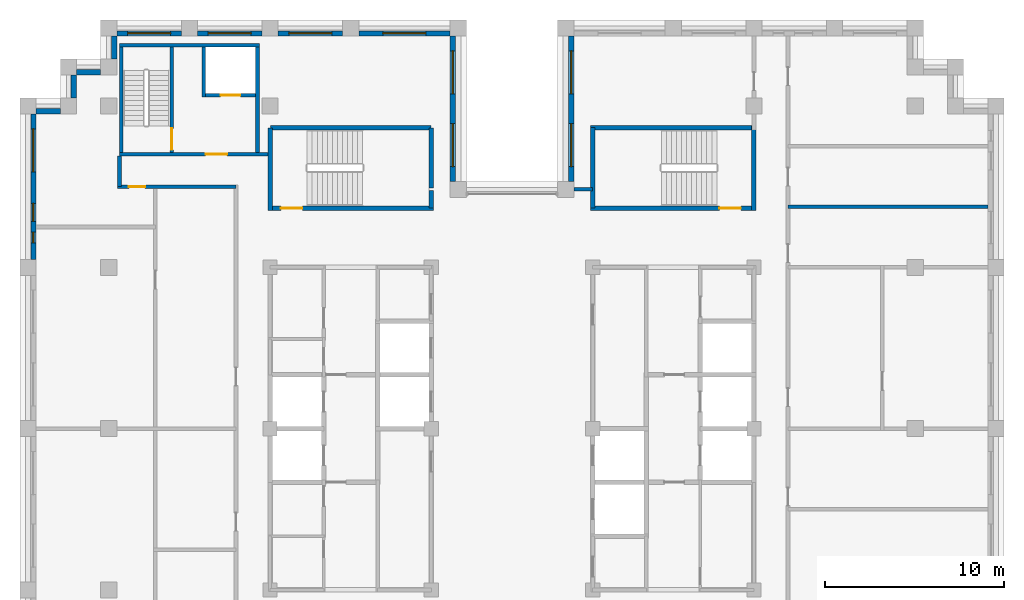
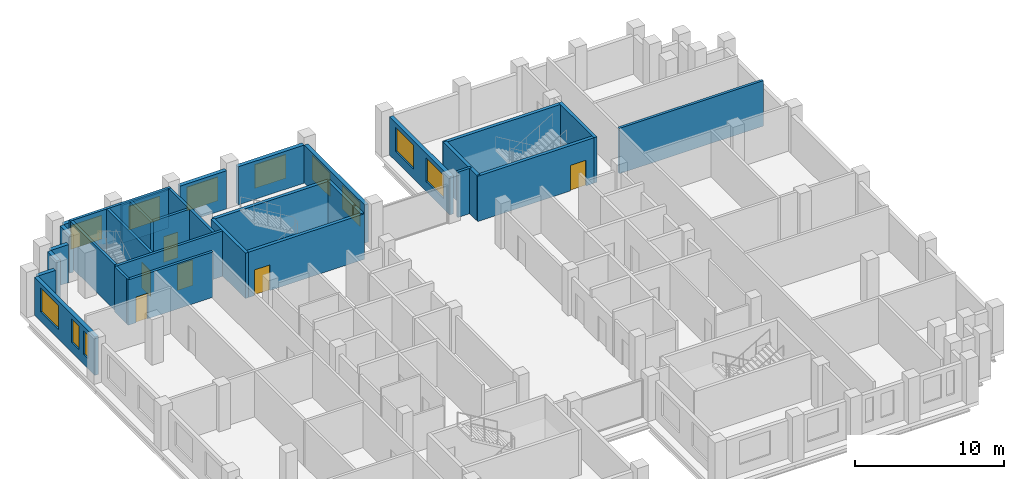
# One storey, part 10 of 13: 31 walls, 11 windows, 6 doors, 17 openings.
"""IFC4 building model written with IfcOpenShell, lengths in metres."""

from ifc_helpers import new_model, si_unit, direction, frame, frame_2d, origin, place, context, subcontext, project, spatial, rectangle, extrude, material, layer, layer_set, type_object, element, fill, save


model = new_model("IFC4")

# Units and contexts
model_context = context("Model", 3, precision=1e-05, world=origin(), true_north=direction((0.0, 1.0)))
body_context = subcontext(model_context, "Body", "Model", "MODEL_VIEW")
ifc_project = project(units=[si_unit("LENGTHUNIT", "METRE"), si_unit("AREAUNIT", "SQUARE_METRE"), si_unit("VOLUMEUNIT", "CUBIC_METRE"), si_unit("PLANEANGLEUNIT", "RADIAN"), si_unit("MASSUNIT", "GRAM", prefix="KILO")], contexts=[model_context])

# Site, building, storey
site_placement = place(None, origin())
site = spatial("IfcSite", under=ifc_project, at=site_placement, CompositionType="ELEMENT")
building_placement = place(site_placement, origin())
building = spatial("IfcBuilding", under=site, at=building_placement, Name="Corbelhall Arena Tower", CompositionType="ELEMENT")
storey_placement = place(building_placement, frame((0.0, 0.0, 254.0)))
storey = spatial("IfcBuildingStorey", under=building, at=storey_placement, Name="L54", CompositionType="ELEMENT", Elevation=254.0)

# Walls
ifc_material_1 = material(Name="Precast concrete C40/50 with granite facing", Category="masonry")
ifc_layer_1 = layer(ifc_material_1, 0.300048828125)
ifc_layer_set_1 = layer_set([ifc_layer_1], Name="EV-IW1 Infill panel 300")
wall_type_1 = type_object("IfcWallType", Name="EV-IW1 Infill panel 300", PredefinedType="SOLIDWALL", material=ifc_layer_set_1)
wall_1_placement = place(storey_placement, frame((-24.449951171875, 19.72509765625, 0.0), z_axis=(0.0, 0.0, 1.0), x_axis=(0.0, -1.0, 0.0)))
element("IfcWall", 1, at=wall_1_placement, inside=storey, type_object=wall_type_1, Name="Infill panel IW1", PredefinedType="SOLIDWALL", context=body_context, shape_type="SweptSolid", body=[
    extrude(rectangle(XDim=1.275146484375, YDim=0.300048828125, at=frame_2d((0.6376953125, 0.0))), origin(), (0.0, 0.0, 1.0), 3.1201171875),
])
wall_2_placement = place(storey_placement, frame((-25.199951171875, 17.699951171875, 0.0), z_axis=(0.0, 0.0, 1.0), x_axis=(-1.0, 0.0, 0.0)))
element("IfcWall", 2, at=wall_2_placement, inside=storey, type_object=wall_type_1, Name="Infill panel IW1", PredefinedType="SOLIDWALL", context=body_context, shape_type="SweptSolid", body=[
    extrude(rectangle(XDim=1.35009765625, YDim=0.300048828125, at=frame_2d((0.675048828125, 0.0))), origin(), (0.0, 0.0, 1.0), 3.1201171875),
])

# Wall, openings, windows
wall_3_placement = place(storey_placement, frame((-26.699951171875, 17.550048828125, 0.0), z_axis=(0.0, 0.0, 1.0), x_axis=(0.0, -1.0, 0.0)))
wall_3 = element("IfcWall", 3, at=wall_3_placement, inside=storey, type_object=wall_type_1, Name="Infill panel IW1", PredefinedType="SOLIDWALL", context=body_context, shape_type="SweptSolid", body=[
    extrude(rectangle(XDim=8.10009765625, YDim=0.300048828125, at=frame_2d((4.050048828125, 0.0))), origin(), (0.0, 0.0, 1.0), 3.1201171875),
])
opening_1_placement = place(wall_3_placement, frame((0.824951171875, 0.0, 0.800048828125)))
opening_1 = element("IfcOpeningElement", 4, at=opening_1_placement, cuts=wall_3, Name="Opening WN1", PredefinedType="OPENING", context=body_context, shape_type="SweptSolid", body=[
    extrude(rectangle(XDim=2.39990234375, YDim=1.949951171875, at=frame_2d((1.199951171875, 0.97509765625))), frame((0.0, 0.14990234375, 0.0), z_axis=(0.0, -1.0, 0.0), x_axis=(1.0, 0.0, 0.0)), (0.0, 0.0, 1.0), 0.300048828125),
])
opening_2_placement = place(wall_3_placement, frame((4.987548828125, 0.0, 0.800048828125)))
opening_2 = element("IfcOpeningElement", 5, at=opening_2_placement, cuts=wall_3, Name="Opening WN6", PredefinedType="OPENING", context=body_context, shape_type="SweptSolid", body=[
    extrude(rectangle(XDim=1.0, YDim=1.949951171875, at=frame_2d((0.5, 0.97509765625))), frame((0.0, 0.14990234375, 0.0), z_axis=(0.0, -1.0, 0.0), x_axis=(1.0, 0.0, 0.0)), (0.0, 0.0, 1.0), 0.300048828125),
])
opening_3_placement = place(wall_3_placement, frame((6.58740234375, 0.0, 0.800048828125)))
opening_3 = element("IfcOpeningElement", 6, at=opening_3_placement, cuts=wall_3, Name="Opening WN5", PredefinedType="OPENING", context=body_context, shape_type="SweptSolid", body=[
    extrude(rectangle(XDim=0.60009765625, YDim=1.949951171875, at=frame_2d((0.300048828125, 0.97509765625))), frame((0.0, 0.14990234375, 0.0), z_axis=(0.0, -1.0, 0.0), x_axis=(1.0, 0.0, 0.0)), (0.0, 0.0, 1.0), 0.300048828125),
])
ifc_material_2 = material(Name="Aluminium black anodised", Category="aluminium")
window_type_1 = type_object("IfcWindowType", Name="EV-WN1 Office window", PartitioningType="SINGLE_PANEL", PredefinedType="WINDOW", material=ifc_material_2)
window_1_placement = place(opening_1_placement, origin())
window_1 = element("IfcWindow", 7, at=window_1_placement, inside=storey, type_object=window_type_1, Name="Window WN1", OverallHeight=1.949951171875, OverallWidth=2.39990234375, PartitioningType="SINGLE_PANEL", PredefinedType="WINDOW", context=body_context, shape_type="SweptSolid", body=[
    extrude(rectangle(XDim=2.39990234375, YDim=1.949951171875, at=frame_2d((1.199951171875, 0.97509765625))), frame((0.0, 0.030029296875, 0.0), z_axis=(0.0, -1.0, 0.0), x_axis=(1.0, 0.0, 0.0)), (0.0, 0.0, 1.0), 0.06005859375),
])
fill(opening_1, window_1)
window_type_2 = type_object("IfcWindowType", Name="EV-WN5 Office window 600", PartitioningType="SINGLE_PANEL", PredefinedType="WINDOW", material=ifc_material_2)
window_2_placement = place(opening_3_placement, origin())
window_2 = element("IfcWindow", 8, at=window_2_placement, inside=storey, type_object=window_type_2, Name="Window WN5", OverallHeight=1.949951171875, OverallWidth=0.60009765625, PartitioningType="SINGLE_PANEL", PredefinedType="WINDOW", context=body_context, shape_type="SweptSolid", body=[
    extrude(rectangle(XDim=0.60009765625, YDim=1.949951171875, at=frame_2d((0.300048828125, 0.97509765625))), frame((0.0, 0.030029296875, 0.0), z_axis=(0.0, -1.0, 0.0), x_axis=(1.0, 0.0, 0.0)), (0.0, 0.0, 1.0), 0.06005859375),
])
fill(opening_3, window_2)
window_type_3 = type_object("IfcWindowType", Name="EV-WN6 Office window 1000", PartitioningType="SINGLE_PANEL", PredefinedType="WINDOW", material=ifc_material_2)
window_3_placement = place(opening_2_placement, origin())
window_3 = element("IfcWindow", 9, at=window_3_placement, inside=storey, type_object=window_type_3, Name="Window WN6", OverallHeight=1.949951171875, OverallWidth=1.0, PartitioningType="SINGLE_PANEL", PredefinedType="WINDOW", context=body_context, shape_type="SweptSolid", body=[
    extrude(rectangle(XDim=1.0, YDim=1.949951171875, at=frame_2d((0.5, 0.97509765625))), frame((0.0, 0.030029296875, 0.0), z_axis=(0.0, -1.0, 0.0), x_axis=(1.0, 0.0, 0.0)), (0.0, 0.0, 1.0), 0.06005859375),
])
fill(opening_2, window_3)

wall_4_placement = place(storey_placement, frame((3.300048828125, 21.89990234375, 0.0), z_axis=(0.0, 0.0, 1.0), x_axis=(0.0, -1.0, 0.0)))
wall_4 = element("IfcWall", 10, at=wall_4_placement, inside=storey, type_object=wall_type_1, Name="Infill panel IW1", PredefinedType="SOLIDWALL", context=body_context, shape_type="SweptSolid", body=[
    extrude(rectangle(XDim=8.099853515625, YDim=0.300048828125, at=frame_2d((4.0498046875, 0.0))), origin(), (0.0, 0.0, 1.0), 3.1201171875),
])
opening_4_placement = place(wall_4_placement, frame((0.824951171875, 0.0, 0.800048828125)))
opening_4 = element("IfcOpeningElement", 11, at=opening_4_placement, cuts=wall_4, Name="Opening WN1", PredefinedType="OPENING", context=body_context, shape_type="SweptSolid", body=[
    extrude(rectangle(XDim=2.39990234375, YDim=1.949951171875, at=frame_2d((1.199951171875, 0.97509765625))), frame((0.0, 0.14990234375, 0.0), z_axis=(0.0, -1.0, 0.0), x_axis=(1.0, 0.0, 0.0)), (0.0, 0.0, 1.0), 0.300048828125),
])
opening_5_placement = place(wall_4_placement, frame((4.875, 0.0, 0.800048828125)))
opening_5 = element("IfcOpeningElement", 12, at=opening_5_placement, cuts=wall_4, Name="Opening WN1", PredefinedType="OPENING", context=body_context, shape_type="SweptSolid", body=[
    extrude(rectangle(XDim=2.39990234375, YDim=1.949951171875, at=frame_2d((1.199951171875, 0.97509765625))), frame((0.0, 0.14990234375, 0.0), z_axis=(0.0, -1.0, 0.0), x_axis=(1.0, 0.0, 0.0)), (0.0, 0.0, 1.0), 0.300048828125),
])
window_4_placement = place(opening_4_placement, origin())
window_4 = element("IfcWindow", 13, at=window_4_placement, inside=storey, type_object=window_type_1, Name="Window WN1", OverallHeight=1.949951171875, OverallWidth=2.39990234375, PartitioningType="SINGLE_PANEL", PredefinedType="WINDOW", context=body_context, shape_type="SweptSolid", body=[
    extrude(rectangle(XDim=2.39990234375, YDim=1.949951171875, at=frame_2d((1.199951171875, 0.97509765625))), frame((0.0, 0.030029296875, 0.0), z_axis=(0.0, -1.0, 0.0), x_axis=(1.0, 0.0, 0.0)), (0.0, 0.0, 1.0), 0.06005859375),
])
fill(opening_4, window_4)
window_5_placement = place(opening_5_placement, origin())
window_5 = element("IfcWindow", 14, at=window_5_placement, inside=storey, type_object=window_type_1, Name="Window WN1", OverallHeight=1.949951171875, OverallWidth=2.39990234375, PartitioningType="SINGLE_PANEL", PredefinedType="WINDOW", context=body_context, shape_type="SweptSolid", body=[
    extrude(rectangle(XDim=2.39990234375, YDim=1.949951171875, at=frame_2d((1.199951171875, 0.97509765625))), frame((0.0, 0.030029296875, 0.0), z_axis=(0.0, -1.0, 0.0), x_axis=(1.0, 0.0, 0.0)), (0.0, 0.0, 1.0), 0.06005859375),
])
fill(opening_5, window_5)

wall_5_placement = place(storey_placement, frame((-3.300048828125, 13.800048828125, 0.0), z_axis=(0.0, 0.0, 1.0), x_axis=(0.0, 1.0, 0.0)))
wall_5 = element("IfcWall", 15, at=wall_5_placement, inside=storey, type_object=wall_type_1, Name="Infill panel IW1", PredefinedType="SOLIDWALL", context=body_context, shape_type="SweptSolid", body=[
    extrude(rectangle(XDim=8.099853515625, YDim=0.300048828125, at=frame_2d((4.0498046875, 0.0))), origin(), (0.0, 0.0, 1.0), 3.1201171875),
])
opening_6_placement = place(wall_5_placement, frame((0.824951171875, 0.0, 0.800048828125)))
opening_6 = element("IfcOpeningElement", 16, at=opening_6_placement, cuts=wall_5, Name="Opening WN1", PredefinedType="OPENING", context=body_context, shape_type="SweptSolid", body=[
    extrude(rectangle(XDim=2.39990234375, YDim=1.949951171875, at=frame_2d((1.199951171875, 0.97509765625))), frame((0.0, 0.14990234375, 0.0), z_axis=(0.0, -1.0, 0.0), x_axis=(1.0, 0.0, 0.0)), (0.0, 0.0, 1.0), 0.300048828125),
])
opening_7_placement = place(wall_5_placement, frame((4.875, 0.0, 0.800048828125)))
opening_7 = element("IfcOpeningElement", 17, at=opening_7_placement, cuts=wall_5, Name="Opening WN1", PredefinedType="OPENING", context=body_context, shape_type="SweptSolid", body=[
    extrude(rectangle(XDim=2.39990234375, YDim=1.949951171875, at=frame_2d((1.199951171875, 0.97509765625))), frame((0.0, 0.14990234375, 0.0), z_axis=(0.0, -1.0, 0.0), x_axis=(1.0, 0.0, 0.0)), (0.0, 0.0, 1.0), 0.300048828125),
])
window_6_placement = place(opening_6_placement, origin())
window_6 = element("IfcWindow", 18, at=window_6_placement, inside=storey, type_object=window_type_1, Name="Window WN1", OverallHeight=1.949951171875, OverallWidth=2.39990234375, PartitioningType="SINGLE_PANEL", PredefinedType="WINDOW", context=body_context, shape_type="SweptSolid", body=[
    extrude(rectangle(XDim=2.39990234375, YDim=1.949951171875, at=frame_2d((1.199951171875, 0.97509765625))), frame((0.0, 0.030029296875, 0.0), z_axis=(0.0, -1.0, 0.0), x_axis=(1.0, 0.0, 0.0)), (0.0, 0.0, 1.0), 0.06005859375),
])
fill(opening_6, window_6)
window_7_placement = place(opening_7_placement, origin())
window_7 = element("IfcWindow", 19, at=window_7_placement, inside=storey, type_object=window_type_1, Name="Window WN1", OverallHeight=1.949951171875, OverallWidth=2.39990234375, PartitioningType="SINGLE_PANEL", PredefinedType="WINDOW", context=body_context, shape_type="SweptSolid", body=[
    extrude(rectangle(XDim=2.39990234375, YDim=1.949951171875, at=frame_2d((1.199951171875, 0.97509765625))), frame((0.0, 0.030029296875, 0.0), z_axis=(0.0, -1.0, 0.0), x_axis=(1.0, 0.0, 0.0)), (0.0, 0.0, 1.0), 0.06005859375),
])
fill(opening_7, window_7)

# Wall, opening, window
wall_6_placement = place(storey_placement, frame((-3.449951171875, 22.050048828125, 0.0), z_axis=(0.0, 0.0, 1.0), x_axis=(-1.0, 0.0, 0.0)))
wall_6 = element("IfcWall", 20, at=wall_6_placement, inside=storey, type_object=wall_type_1, Name="Infill panel IW1", PredefinedType="SOLIDWALL", context=body_context, shape_type="SweptSolid", body=[
    extrude(rectangle(XDim=5.10009765625, YDim=0.300048828125, at=frame_2d((2.550048828125, 0.0))), origin(), (0.0, 0.0, 1.0), 3.1201171875),
])
opening_8_placement = place(wall_6_placement, frame((1.35009765625, 0.0, 0.800048828125)))
opening_8 = element("IfcOpeningElement", 21, at=opening_8_placement, cuts=wall_6, Name="Opening WN1", PredefinedType="OPENING", context=body_context, shape_type="SweptSolid", body=[
    extrude(rectangle(XDim=2.39990234375, YDim=1.949951171875, at=frame_2d((1.199951171875, 0.97509765625))), frame((0.0, 0.14990234375, 0.0), z_axis=(0.0, -1.0, 0.0), x_axis=(1.0, 0.0, 0.0)), (0.0, 0.0, 1.0), 0.300048828125),
])
window_8_placement = place(opening_8_placement, origin())
window_8 = element("IfcWindow", 22, at=window_8_placement, inside=storey, type_object=window_type_1, Name="Window WN1", OverallHeight=1.949951171875, OverallWidth=2.39990234375, PartitioningType="SINGLE_PANEL", PredefinedType="WINDOW", context=body_context, shape_type="SweptSolid", body=[
    extrude(rectangle(XDim=2.39990234375, YDim=1.949951171875, at=frame_2d((1.199951171875, 0.97509765625))), frame((0.0, 0.030029296875, 0.0), z_axis=(0.0, -1.0, 0.0), x_axis=(1.0, 0.0, 0.0)), (0.0, 0.0, 1.0), 0.06005859375),
])
fill(opening_8, window_8)

wall_7_placement = place(storey_placement, frame((-9.449951171875, 22.050048828125, 0.0), z_axis=(0.0, 0.0, 1.0), x_axis=(-1.0, 0.0, 0.0)))
wall_7 = element("IfcWall", 23, at=wall_7_placement, inside=storey, type_object=wall_type_1, Name="Infill panel IW1", PredefinedType="SOLIDWALL", context=body_context, shape_type="SweptSolid", body=[
    extrude(rectangle(XDim=3.60009765625, YDim=0.300048828125, at=frame_2d((1.800048828125, 0.0))), origin(), (0.0, 0.0, 1.0), 3.1201171875),
])
opening_9_placement = place(wall_7_placement, frame((0.60009765625, 0.0, 0.800048828125)))
opening_9 = element("IfcOpeningElement", 24, at=opening_9_placement, cuts=wall_7, Name="Opening WN1", PredefinedType="OPENING", context=body_context, shape_type="SweptSolid", body=[
    extrude(rectangle(XDim=2.39990234375, YDim=1.949951171875, at=frame_2d((1.199951171875, 0.97509765625))), frame((0.0, 0.14990234375, 0.0), z_axis=(0.0, -1.0, 0.0), x_axis=(1.0, 0.0, 0.0)), (0.0, 0.0, 1.0), 0.300048828125),
])
window_9_placement = place(opening_9_placement, origin())
window_9 = element("IfcWindow", 25, at=window_9_placement, inside=storey, type_object=window_type_1, Name="Window WN1", OverallHeight=1.949951171875, OverallWidth=2.39990234375, PartitioningType="SINGLE_PANEL", PredefinedType="WINDOW", context=body_context, shape_type="SweptSolid", body=[
    extrude(rectangle(XDim=2.39990234375, YDim=1.949951171875, at=frame_2d((1.199951171875, 0.97509765625))), frame((0.0, 0.030029296875, 0.0), z_axis=(0.0, -1.0, 0.0), x_axis=(1.0, 0.0, 0.0)), (0.0, 0.0, 1.0), 0.06005859375),
])
fill(opening_9, window_9)

wall_8_placement = place(storey_placement, frame((-13.949951171875, 22.050048828125, 0.0), z_axis=(0.0, 0.0, 1.0), x_axis=(-1.0, 0.0, 0.0)))
wall_8 = element("IfcWall", 26, at=wall_8_placement, inside=storey, type_object=wall_type_1, Name="Infill panel IW1", PredefinedType="SOLIDWALL", context=body_context, shape_type="SweptSolid", body=[
    extrude(rectangle(XDim=3.60009765625, YDim=0.300048828125, at=frame_2d((1.800048828125, 0.0))), origin(), (0.0, 0.0, 1.0), 3.1201171875),
])
opening_10_placement = place(wall_8_placement, frame((0.60009765625, 0.0, 0.800048828125)))
opening_10 = element("IfcOpeningElement", 27, at=opening_10_placement, cuts=wall_8, Name="Opening WN1", PredefinedType="OPENING", context=body_context, shape_type="SweptSolid", body=[
    extrude(rectangle(XDim=2.39990234375, YDim=1.949951171875, at=frame_2d((1.199951171875, 0.97509765625))), frame((0.0, 0.14990234375, 0.0), z_axis=(0.0, -1.0, 0.0), x_axis=(1.0, 0.0, 0.0)), (0.0, 0.0, 1.0), 0.300048828125),
])
window_10_placement = place(opening_10_placement, origin())
window_10 = element("IfcWindow", 28, at=window_10_placement, inside=storey, type_object=window_type_1, Name="Window WN1", OverallHeight=1.949951171875, OverallWidth=2.39990234375, PartitioningType="SINGLE_PANEL", PredefinedType="WINDOW", context=body_context, shape_type="SweptSolid", body=[
    extrude(rectangle(XDim=2.39990234375, YDim=1.949951171875, at=frame_2d((1.199951171875, 0.97509765625))), frame((0.0, 0.030029296875, 0.0), z_axis=(0.0, -1.0, 0.0), x_axis=(1.0, 0.0, 0.0)), (0.0, 0.0, 1.0), 0.06005859375),
])
fill(opening_10, window_10)

wall_9_placement = place(storey_placement, frame((-18.449951171875, 22.050048828125, 0.0), z_axis=(0.0, 0.0, 1.0), x_axis=(-1.0, 0.0, 0.0)))
wall_9 = element("IfcWall", 29, at=wall_9_placement, inside=storey, type_object=wall_type_1, Name="Infill panel IW1", PredefinedType="SOLIDWALL", context=body_context, shape_type="SweptSolid", body=[
    extrude(rectangle(XDim=3.60009765625, YDim=0.300048828125, at=frame_2d((1.800048828125, 0.0))), origin(), (0.0, 0.0, 1.0), 3.1201171875),
])
opening_11_placement = place(wall_9_placement, frame((0.60009765625, 0.0, 0.800048828125)))
opening_11 = element("IfcOpeningElement", 30, at=opening_11_placement, cuts=wall_9, Name="Opening WN1", PredefinedType="OPENING", context=body_context, shape_type="SweptSolid", body=[
    extrude(rectangle(XDim=2.39990234375, YDim=1.949951171875, at=frame_2d((1.199951171875, 0.97509765625))), frame((0.0, 0.14990234375, 0.0), z_axis=(0.0, -1.0, 0.0), x_axis=(1.0, 0.0, 0.0)), (0.0, 0.0, 1.0), 0.300048828125),
])
window_11_placement = place(opening_11_placement, origin())
window_11 = element("IfcWindow", 31, at=window_11_placement, inside=storey, type_object=window_type_1, Name="Window WN1", OverallHeight=1.949951171875, OverallWidth=2.39990234375, PartitioningType="SINGLE_PANEL", PredefinedType="WINDOW", context=body_context, shape_type="SweptSolid", body=[
    extrude(rectangle(XDim=2.39990234375, YDim=1.949951171875, at=frame_2d((1.199951171875, 0.97509765625))), frame((0.0, 0.030029296875, 0.0), z_axis=(0.0, -1.0, 0.0), x_axis=(1.0, 0.0, 0.0)), (0.0, 0.0, 1.0), 0.06005859375),
])
fill(opening_11, window_11)

# Walls
wall_10_placement = place(storey_placement, frame((-22.199951171875, 21.89990234375, 0.0), z_axis=(0.0, 0.0, 1.0), x_axis=(0.0, -1.0, 0.0)))
element("IfcWall", 32, at=wall_10_placement, inside=storey, type_object=wall_type_1, Name="Infill panel IW1", PredefinedType="SOLIDWALL", context=body_context, shape_type="SweptSolid", body=[
    extrude(rectangle(XDim=1.27490234375, YDim=0.300048828125, at=frame_2d((0.637451171875, 0.0))), origin(), (0.0, 0.0, 1.0), 3.1201171875),
])
wall_11_placement = place(storey_placement, frame((-22.949951171875, 19.875, 0.0), z_axis=(0.0, 0.0, 1.0), x_axis=(-1.0, 0.0, 0.0)))
element("IfcWall", 33, at=wall_11_placement, inside=storey, type_object=wall_type_1, Name="Infill panel IW1", PredefinedType="SOLIDWALL", context=body_context, shape_type="SweptSolid", body=[
    extrude(rectangle(XDim=1.35009765625, YDim=0.300048828125, at=frame_2d((0.675048828125, 0.0))), origin(), (0.0, 0.0, 1.0), 3.1201171875),
])
ifc_material_3 = material(Name="Gypsum board on steel stud, acoustic", Category="steel")
ifc_layer_2 = layer(ifc_material_3, 0.199951171875)
ifc_layer_set_2 = layer_set([ifc_layer_2], Name="IN-W-DM200")
wall_type_2 = type_object("IfcWallType", Name="IN-W-DM200", PredefinedType="PARTITIONING", material=ifc_layer_set_2)
wall_12_placement = place(storey_placement, frame((-21.89990234375, 13.5, 0.0), z_axis=(0.0, 0.0, 1.0), x_axis=(0.0, 1.0, 0.0)))
element("IfcWall", 34, at=wall_12_placement, inside=storey, type_object=wall_type_2, Name="Partition 004", PredefinedType="PARTITIONING", context=body_context, shape_type="SweptSolid", body=[
    extrude(rectangle(XDim=1.699951171875, YDim=0.199951171875, at=frame_2d((0.85009765625, 0.0))), origin(), (0.0, 0.0, 1.0), 3.719970703125),
])

# Wall, opening, door
wall_13_placement = place(storey_placement, frame((-15.39990234375, 13.5, 0.0), z_axis=(0.0, 0.0, 1.0), x_axis=(-1.0, 0.0, 0.0)))
wall_13 = element("IfcWall", 35, at=wall_13_placement, inside=storey, type_object=wall_type_2, Name="Partition 008", PredefinedType="PARTITIONING", context=body_context, shape_type="SweptSolid", body=[
    extrude(rectangle(XDim=6.60009765625, YDim=0.199951171875, at=frame_2d((3.300048828125, 0.0))), origin(), (0.0, 0.0, 1.0), 3.719970703125),
])
opening_12_placement = place(wall_13_placement, frame((5.070068359375, 0.0, 0.0)))
opening_12 = element("IfcOpeningElement", 36, at=opening_12_placement, cuts=wall_13, Name="Opening 17038", PredefinedType="OPENING", context=body_context, shape_type="SweptSolid", body=[
    extrude(rectangle(XDim=0.89990234375, YDim=2.10009765625, at=frame_2d((0.449951171875, 1.050048828125))), frame((0.0, 0.10009765625, 0.0), z_axis=(0.0, -1.0, 0.0), x_axis=(1.0, 0.0, 0.0)), (0.0, 0.0, 1.0), 0.199951171875),
])
ifc_material_4 = material(Name="Timber door set", Category="wood")
door_type_1 = type_object("IfcDoorType", Name="IN-D-SW90", OperationType="NOTDEFINED", PredefinedType="DOOR", material=ifc_material_4)
door_1_placement = place(opening_12_placement, origin())
door_1 = element("IfcDoor", 37, at=door_1_placement, inside=storey, type_object=door_type_1, Name="Door 038", OperationType="SINGLE_SWING_LEFT", OverallHeight=2.10009765625, OverallWidth=0.89990234375, PredefinedType="DOOR", context=body_context, shape_type="SweptSolid", body=[
    extrude(rectangle(XDim=0.89990234375, YDim=2.10009765625, at=frame_2d((0.449951171875, 1.050048828125))), frame((0.0, 0.02490234375, 0.0), z_axis=(0.0, -1.0, 0.0), x_axis=(1.0, 0.0, 0.0)), (0.0, 0.0, 1.0), 0.050048828125),
])
fill(opening_12, door_1)

# Walls
wall_14_placement = place(storey_placement, frame((3.450439453125, 13.35009765625, 0.0), z_axis=(0.0, 0.0, 1.0), x_axis=(1.0, 0.0, 0.0)))
element("IfcWall", 38, at=wall_14_placement, inside=storey, type_object=wall_type_2, Name="Partition 012", PredefinedType="PARTITIONING", context=body_context, shape_type="SweptSolid", body=[
    extrude(rectangle(XDim=1.049072265625, YDim=0.199951171875, at=frame_2d((0.5244140625, 0.0))), origin(), (0.0, 0.0, 1.0), 3.719970703125),
])
wall_15_placement = place(storey_placement, frame((15.39990234375, 12.375, 0.0), z_axis=(0.0, 0.0, 1.0), x_axis=(1.0, 0.0, 0.0)))
element("IfcWall", 39, at=wall_15_placement, inside=storey, type_object=wall_type_2, Name="Partition 020", PredefinedType="PARTITIONING", context=body_context, shape_type="SweptSolid", body=[
    extrude(rectangle(XDim=11.150146484375, YDim=0.199951171875, at=frame_2d((5.5751953125, 0.0))), origin(), (0.0, 0.0, 1.0), 3.719970703125),
])

# Wall, opening, door
ifc_material_5 = material(Name="Concrete C40/50", Category="concrete")
ifc_layer_3 = layer(ifc_material_5, 0.199951171875)
ifc_layer_set_3 = layer_set([ifc_layer_3], Name="IN-W-EAR200")
wall_type_3 = type_object("IfcWallType", Name="IN-W-EAR200", PredefinedType="SOLIDWALL", material=ifc_layer_set_3)
wall_16_placement = place(storey_placement, frame((-21.89990234375, 15.300048828125, 0.0), z_axis=(0.0, 0.0, 1.0), x_axis=(1.0, 0.0, 0.0)))
wall_16 = element("IfcWall", 40, at=wall_16_placement, inside=storey, type_object=wall_type_3, Name="Fire service turret wall south", PredefinedType="SOLIDWALL", context=body_context, shape_type="SweptSolid", body=[
    extrude(rectangle(XDim=8.27490234375, YDim=0.199951171875, at=frame_2d((4.137451171875, 0.0))), origin(), (0.0, 0.0, 1.0), 3.719970703125),
])
opening_13_placement = place(wall_16_placement, frame((4.800048828125, 0.0, 0.0)))
opening_13 = element("IfcOpeningElement", 41, at=opening_13_placement, cuts=wall_16, Name="Opening E172", PredefinedType="OPENING", context=body_context, shape_type="SweptSolid", body=[
    extrude(rectangle(XDim=1.199951171875, YDim=2.10009765625, at=frame_2d((0.60009765625, 1.050048828125))), frame((0.0, 0.10009765625, 0.0), z_axis=(0.0, -1.0, 0.0), x_axis=(1.0, 0.0, 0.0)), (0.0, 0.0, 1.0), 0.199951171875),
])
ifc_material_6 = material(Name="Steel door set", Category="steel")
door_type_2 = type_object("IfcDoorType", Name="IN-D-ST120", OperationType="NOTDEFINED", PredefinedType="DOOR", material=ifc_material_6)
door_2_placement = place(opening_13_placement, origin())
door_2 = element("IfcDoor", 42, at=door_2_placement, inside=storey, type_object=door_type_2, Name="Door from fire service lift lobby to circulation", OperationType="SINGLE_SWING_RIGHT", OverallHeight=2.10009765625, OverallWidth=1.199951171875, PredefinedType="DOOR", context=body_context, shape_type="SweptSolid", body=[
    extrude(rectangle(XDim=1.199951171875, YDim=2.10009765625, at=frame_2d((0.60009765625, 1.050048828125))), frame((0.0, 0.02490234375, 0.0), z_axis=(0.0, -1.0, 0.0), x_axis=(1.0, 0.0, 0.0)), (0.0, 0.0, 1.0), 0.050048828125),
])
fill(opening_13, door_2)

# Walls
wall_17_placement = place(storey_placement, frame((-21.89990234375, 21.39990234375, 0.0), z_axis=(0.0, 0.0, 1.0), x_axis=(1.0, 0.0, 0.0)))
element("IfcWall", 43, at=wall_17_placement, inside=storey, type_object=wall_type_3, Name="Fire service turret wall north", PredefinedType="SOLIDWALL", context=body_context, shape_type="SweptSolid", body=[
    extrude(rectangle(XDim=7.7998046875, YDim=0.199951171875, at=frame_2d((3.89990234375, 0.0))), origin(), (0.0, 0.0, 1.0), 3.719970703125),
])
for number, where, z_axis, x_axis, name in (
    (44, (-21.800048828125, 15.39990234375, 0.0), (0.0, 0.0, 1.0), (0.0, 1.0, 0.0), "Fire service turret wall west"),
    (45, (-14.199951171875, 15.39990234375, 0.0), (0.0, 0.0, 1.0), (0.0, 1.0, 0.0), "Fire service turret wall east"),
):
    element("IfcWall", number, at=place(storey_placement, frame(where, z_axis=z_axis, x_axis=x_axis)), inside=storey, type_object=wall_type_3, Name=name, PredefinedType="SOLIDWALL", context=body_context, shape_type="SweptSolid", body=[
        extrude(rectangle(XDim=5.900146484375, YDim=0.199951171875, at=frame_2d((2.9501953125, 0.0))), origin(), (0.0, 0.0, 1.0), 3.719970703125),
    ])

# Wall, opening, door
wall_18_placement = place(storey_placement, frame((-18.989990234375, 15.39990234375, 0.0), z_axis=(0.0, 0.0, 1.0), x_axis=(0.0, 1.0, 0.0)))
wall_18 = element("IfcWall", 46, at=wall_18_placement, inside=storey, type_object=wall_type_3, Name="Fire service turret wall stair", PredefinedType="SOLIDWALL", context=body_context, shape_type="SweptSolid", body=[
    extrude(rectangle(XDim=5.900146484375, YDim=0.199951171875, at=frame_2d((2.9501953125, 0.0))), origin(), (0.0, 0.0, 1.0), 3.719970703125),
])
opening_14_placement = place(wall_18_placement, frame((0.14990234375, 0.0, 0.0)))
opening_14 = element("IfcOpeningElement", 47, at=opening_14_placement, cuts=wall_18, Name="Opening E171", PredefinedType="OPENING", context=body_context, shape_type="SweptSolid", body=[
    extrude(rectangle(XDim=1.199951171875, YDim=2.10009765625, at=frame_2d((0.60009765625, 1.050048828125))), frame((0.0, 0.10009765625, 0.0), z_axis=(0.0, -1.0, 0.0), x_axis=(1.0, 0.0, 0.0)), (0.0, 0.0, 1.0), 0.199951171875),
])
door_3_placement = place(opening_14_placement, origin())
door_3 = element("IfcDoor", 48, at=door_3_placement, inside=storey, type_object=door_type_2, Name="Stair door to fire service lobby", OperationType="SINGLE_SWING_LEFT", OverallHeight=2.10009765625, OverallWidth=1.199951171875, PredefinedType="DOOR", context=body_context, shape_type="SweptSolid", body=[
    extrude(rectangle(XDim=1.199951171875, YDim=2.10009765625, at=frame_2d((0.60009765625, 1.050048828125))), frame((0.0, 0.02490234375, 0.0), z_axis=(0.0, -1.0, 0.0), x_axis=(1.0, 0.0, 0.0)), (0.0, 0.0, 1.0), 0.050048828125),
])
fill(opening_14, door_3)

# Wall
wall_19_placement = place(storey_placement, frame((-17.199951171875, 18.5, 0.0), z_axis=(0.0, 0.0, 1.0), x_axis=(0.0, 1.0, 0.0)))
element("IfcWall", 49, at=wall_19_placement, inside=storey, type_object=wall_type_3, Name="Fire service turret wall hoistway west", PredefinedType="SOLIDWALL", context=body_context, shape_type="SweptSolid", body=[
    extrude(rectangle(XDim=2.800048828125, YDim=0.199951171875, at=frame_2d((1.39990234375, 0.0))), origin(), (0.0, 0.0, 1.0), 3.719970703125),
])

# Wall, opening, door
wall_20_placement = place(storey_placement, frame((-17.10009765625, 18.60009765625, 0.0), z_axis=(0.0, 0.0, 1.0), x_axis=(1.0, 0.0, 0.0)))
wall_20 = element("IfcWall", 50, at=wall_20_placement, inside=storey, type_object=wall_type_3, Name="Fire service turret wall hoistway south", PredefinedType="SOLIDWALL", context=body_context, shape_type="SweptSolid", body=[
    extrude(rectangle(XDim=2.800048828125, YDim=0.199951171875, at=frame_2d((1.39990234375, 0.0))), origin(), (0.0, 0.0, 1.0), 3.719970703125),
])
opening_15_placement = place(wall_20_placement, frame((0.85009765625, 0.0, 0.0)))
opening_15 = element("IfcOpeningElement", 51, at=opening_15_placement, cuts=wall_20, Name="Opening LD", PredefinedType="OPENING", context=body_context, shape_type="SweptSolid", body=[
    extrude(rectangle(XDim=1.10009765625, YDim=2.10009765625, at=frame_2d((0.550048828125, 1.050048828125))), frame((0.0, 0.10009765625, 0.0), z_axis=(0.0, -1.0, 0.0), x_axis=(1.0, 0.0, 0.0)), (0.0, 0.0, 1.0), 0.199951171875),
])
door_type_3 = type_object("IfcDoorType", Name="IN-D-LD110", OperationType="NOTDEFINED", PredefinedType="DOOR", material=ifc_material_6)
door_4_placement = place(opening_15_placement, origin())
door_4 = element("IfcDoor", 52, at=door_4_placement, inside=storey, type_object=door_type_3, Name="Landing door FS1", OperationType="SLIDING_TO_LEFT", OverallHeight=2.10009765625, OverallWidth=1.10009765625, PredefinedType="DOOR", context=body_context, shape_type="SweptSolid", body=[
    extrude(rectangle(XDim=1.10009765625, YDim=2.10009765625, at=frame_2d((0.550048828125, 1.050048828125))), frame((0.0, 0.02490234375, 0.0), z_axis=(0.0, -1.0, 0.0), x_axis=(1.0, 0.0, 0.0)), (0.0, 0.0, 1.0), 0.050048828125),
])
fill(opening_15, door_4)

ifc_layer_4 = layer(ifc_material_5, 0.25)
ifc_layer_set_4 = layer_set([ifc_layer_4], Name="IN-W-ST250")
wall_type_4 = type_object("IfcWallType", Name="IN-W-ST250", PredefinedType="SOLIDWALL", material=ifc_layer_set_4)
wall_21_placement = place(storey_placement, frame((-13.5, 12.300048828125, 0.0), z_axis=(0.0, 0.0, 1.0), x_axis=(1.0, 0.0, 0.0)))
wall_21 = element("IfcWall", 53, at=wall_21_placement, inside=storey, type_object=wall_type_4, Name="Shaft wall 065", PredefinedType="SOLIDWALL", context=body_context, shape_type="SweptSolid", body=[
    extrude(rectangle(XDim=9.125, YDim=0.25, at=frame_2d((4.5625, 0.0))), origin(), (0.0, 0.0, 1.0), 3.719970703125),
])
opening_16_placement = place(wall_21_placement, frame((0.60009765625, 0.0, 0.0)))
opening_16 = element("IfcOpeningElement", 54, at=opening_16_placement, cuts=wall_21, Name="Opening 17015", PredefinedType="OPENING", context=body_context, shape_type="SweptSolid", body=[
    extrude(rectangle(XDim=1.199951171875, YDim=2.10009765625, at=frame_2d((0.60009765625, 1.050048828125))), frame((0.0, 0.125, 0.0), z_axis=(0.0, -1.0, 0.0), x_axis=(1.0, 0.0, 0.0)), (0.0, 0.0, 1.0), 0.25),
])
door_5_placement = place(opening_16_placement, origin())
door_5 = element("IfcDoor", 55, at=door_5_placement, inside=storey, type_object=door_type_2, Name="Door 015", OperationType="SINGLE_SWING_RIGHT", OverallHeight=2.10009765625, OverallWidth=1.199951171875, PredefinedType="DOOR", context=body_context, shape_type="SweptSolid", body=[
    extrude(rectangle(XDim=1.199951171875, YDim=2.10009765625, at=frame_2d((0.60009765625, 1.050048828125))), frame((0.0, 0.02490234375, 0.0), z_axis=(0.0, -1.0, 0.0), x_axis=(1.0, 0.0, 0.0)), (0.0, 0.0, 1.0), 0.050048828125),
])
fill(opening_16, door_5)

# Walls
wall_22_placement = place(storey_placement, frame((-13.5, 16.780029296875, 0.0), z_axis=(0.0, 0.0, 1.0), x_axis=(0.0, -1.0, 0.0)))
element("IfcWall", 56, at=wall_22_placement, inside=storey, type_object=wall_type_4, Name="Shaft wall 066", PredefinedType="SOLIDWALL", context=body_context, shape_type="SweptSolid", body=[
    extrude(rectangle(XDim=4.60498046875, YDim=0.25, at=frame_2d((2.302490234375, 0.0))), origin(), (0.0, 0.0, 1.0), 3.719970703125),
])
wall_23_placement = place(storey_placement, frame((-13.47998046875, 16.800048828125, 0.0), z_axis=(0.0, 0.0, 1.0), x_axis=(1.0, 0.0, 0.0)))
element("IfcWall", 57, at=wall_23_placement, inside=storey, type_object=wall_type_4, Name="Shaft wall 067", PredefinedType="SOLIDWALL", context=body_context, shape_type="SweptSolid", body=[
    extrude(rectangle(XDim=8.9599609375, YDim=0.25, at=frame_2d((4.47998046875, 0.0))), origin(), (0.0, 0.0, 1.0), 3.719970703125),
])
wall_24_placement = place(storey_placement, frame((-4.5, 13.282958984375, 0.0), z_axis=(0.0, 0.0, 1.0), x_axis=(0.0, -1.0, 0.0)))
element("IfcWall", 58, at=wall_24_placement, inside=storey, type_object=wall_type_4, Name="Shaft wall 070", PredefinedType="SOLIDWALL", context=body_context, shape_type="SweptSolid", body=[
    extrude(rectangle(XDim=0.98291015625, YDim=0.25, at=frame_2d((0.491455078125, 0.0))), origin(), (0.0, 0.0, 1.0), 3.719970703125),
])
wall_25_placement = place(storey_placement, frame((-4.5, 16.780029296875, 0.0), z_axis=(0.0, 0.0, 1.0), x_axis=(0.0, -1.0, 0.0)))
element("IfcWall", 59, at=wall_25_placement, inside=storey, type_object=wall_type_4, Name="Shaft wall 071", PredefinedType="SOLIDWALL", context=body_context, shape_type="SweptSolid", body=[
    extrude(rectangle(XDim=3.363037109375, YDim=0.25, at=frame_2d((1.681640625, 0.0))), origin(), (0.0, 0.0, 1.0), 3.719970703125),
])

# Wall, opening, door
wall_26_placement = place(storey_placement, frame((4.375, 12.300048828125, 0.0), z_axis=(0.0, 0.0, 1.0), x_axis=(1.0, 0.0, 0.0)))
wall_26 = element("IfcWall", 60, at=wall_26_placement, inside=storey, type_object=wall_type_4, Name="Shaft wall 073", PredefinedType="SOLIDWALL", context=body_context, shape_type="SweptSolid", body=[
    extrude(rectangle(XDim=9.125, YDim=0.25, at=frame_2d((4.5625, 0.0))), origin(), (0.0, 0.0, 1.0), 3.719970703125),
])
opening_17_placement = place(wall_26_placement, frame((7.199951171875, 0.0, 0.0)))
opening_17 = element("IfcOpeningElement", 61, at=opening_17_placement, cuts=wall_26, Name="Opening 17017", PredefinedType="OPENING", context=body_context, shape_type="SweptSolid", body=[
    extrude(rectangle(XDim=1.199951171875, YDim=2.10009765625, at=frame_2d((0.60009765625, 1.050048828125))), frame((0.0, 0.125, 0.0), z_axis=(0.0, -1.0, 0.0), x_axis=(1.0, 0.0, 0.0)), (0.0, 0.0, 1.0), 0.25),
])
door_6_placement = place(opening_17_placement, origin())
door_6 = element("IfcDoor", 62, at=door_6_placement, inside=storey, type_object=door_type_2, Name="Door 017", OperationType="SINGLE_SWING_RIGHT", OverallHeight=2.10009765625, OverallWidth=1.199951171875, PredefinedType="DOOR", context=body_context, shape_type="SweptSolid", body=[
    extrude(rectangle(XDim=1.199951171875, YDim=2.10009765625, at=frame_2d((0.60009765625, 1.050048828125))), frame((0.0, 0.02490234375, 0.0), z_axis=(0.0, -1.0, 0.0), x_axis=(1.0, 0.0, 0.0)), (0.0, 0.0, 1.0), 0.050048828125),
])
fill(opening_17, door_6)

# Walls
wall_27_placement = place(storey_placement, frame((4.375, 16.800048828125, 0.0), z_axis=(0.0, 0.0, 1.0), x_axis=(1.0, 0.0, 0.0)))
element("IfcWall", 63, at=wall_27_placement, inside=storey, type_object=wall_type_4, Name="Shaft wall 074", PredefinedType="SOLIDWALL", context=body_context, shape_type="SweptSolid", body=[
    extrude(rectangle(XDim=9.125, YDim=0.25, at=frame_2d((4.5625, 0.0))), origin(), (0.0, 0.0, 1.0), 3.719970703125),
])
wall_28_placement = place(storey_placement, frame((4.5, 12.300048828125, 0.0), z_axis=(0.0, 0.0, 1.0), x_axis=(0.0, 1.0, 0.0)))
element("IfcWall", 64, at=wall_28_placement, inside=storey, type_object=wall_type_4, Name="Shaft wall 076", PredefinedType="SOLIDWALL", context=body_context, shape_type="SweptSolid", body=[
    extrude(rectangle(XDim=4.5, YDim=0.25, at=frame_2d((2.25, 0.0))), origin(), (0.0, 0.0, 1.0), 3.719970703125),
])
wall_29_placement = place(storey_placement, frame((13.5, 12.175048828125, 0.0), z_axis=(0.0, 0.0, 1.0), x_axis=(0.0, 1.0, 0.0)))
element("IfcWall", 65, at=wall_29_placement, inside=storey, type_object=wall_type_4, Name="Shaft wall 080", PredefinedType="SOLIDWALL", context=body_context, shape_type="SweptSolid", body=[
    extrude(rectangle(XDim=4.75, YDim=0.25, at=frame_2d((2.375, 0.0))), origin(), (0.0, 0.0, 1.0), 3.719970703125),
])

save(model, "model.ifc")
